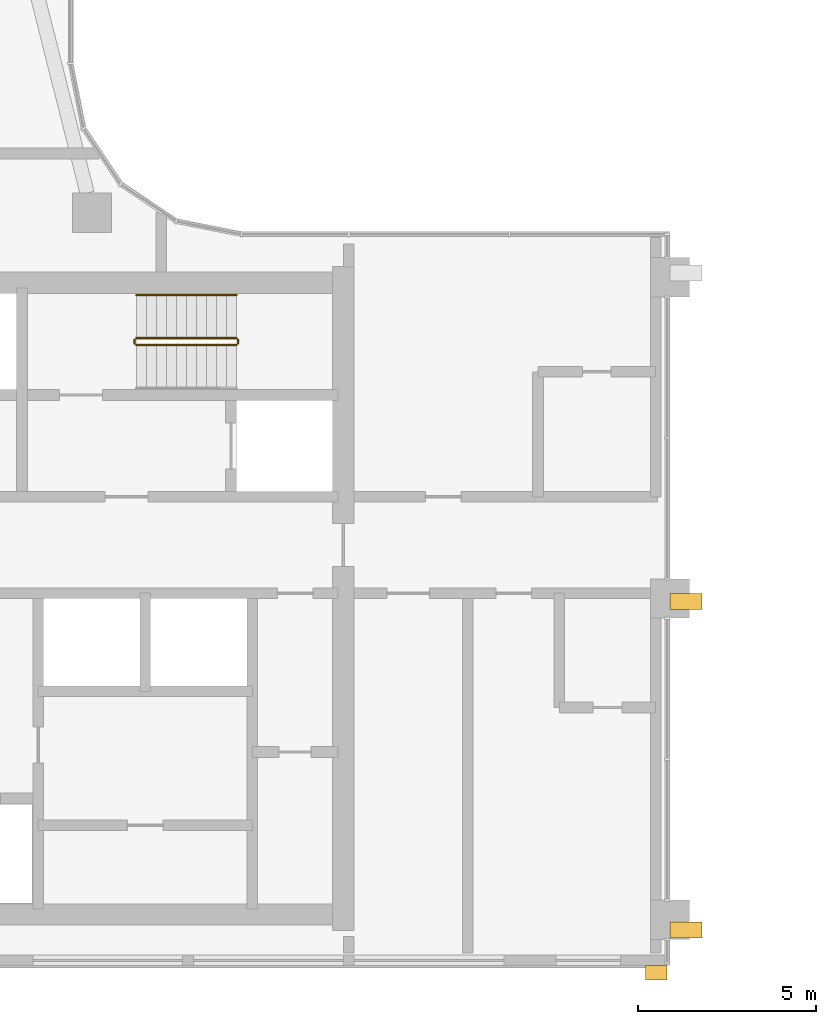
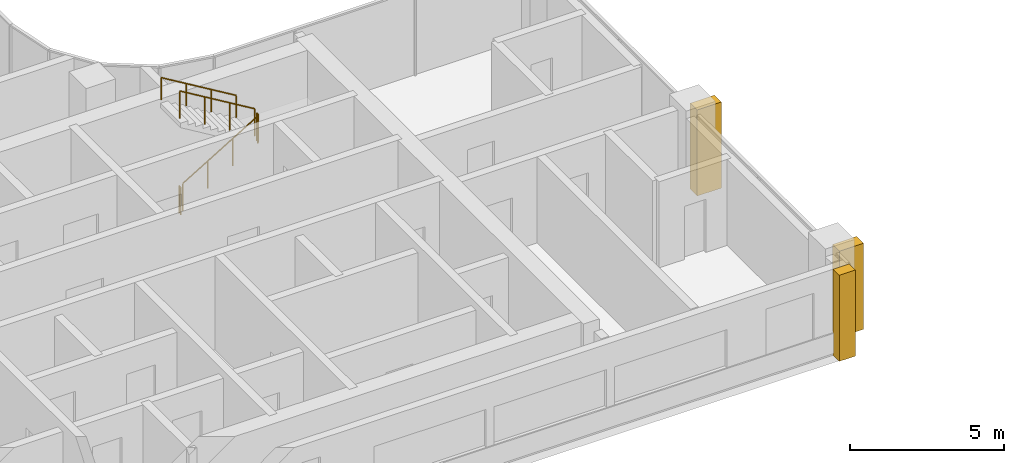
# One storey, part 20 of 23: 5 railings, 3 coverings.
"""IFC4 building model written with IfcOpenShell, lengths in metres."""

from ifc_helpers import new_model, si_unit, direction, frame, origin, origin_2d, place, context, subcontext, project, spatial, rectangle, circle, extrude, material, layer, layer_set, type_object, element, save


model = new_model("IFC4")

# Units and contexts
model_context = context("Model", 3, precision=1e-05, world=origin(), true_north=direction((0.0, 1.0)))
body_context = subcontext(model_context, "Body", "Model", "MODEL_VIEW")
ifc_project = project(units=[si_unit("LENGTHUNIT", "METRE"), si_unit("AREAUNIT", "SQUARE_METRE"), si_unit("VOLUMEUNIT", "CUBIC_METRE"), si_unit("PLANEANGLEUNIT", "RADIAN"), si_unit("MASSUNIT", "GRAM", prefix="KILO")], contexts=[model_context])

# Site, building, storey
site_placement = place(None, origin())
site = spatial("IfcSite", under=ifc_project, at=site_placement, CompositionType="ELEMENT")
building_placement = place(site_placement, origin())
building = spatial("IfcBuilding", under=site, at=building_placement, Name="Ogive Portal Towers", CompositionType="ELEMENT")
storey_placement = place(building_placement, frame((0.0, 0.0, 168.10009765625)))
storey = spatial("IfcBuildingStorey", under=building, at=storey_placement, Name="L41", CompositionType="ELEMENT", Elevation=168.10009765625)

# Coverings
ifc_material_1 = material(Name="Limestone cladding on lightweight block wall", Category="masonry")
ifc_layer_1 = layer(ifc_material_1, 0.449951171875)
ifc_layer_set_1 = layer_set([ifc_layer_1], Name="BUTTRESS PIER STONE")
covering_type_1 = type_object("IfcCoveringType", Name="BUTTRESS PIER STONE", PredefinedType="CLADDING", material=ifc_layer_set_1)
for number, where, z_axis, x_axis, name in (
    (1, (67.949951171875, 30.419921875, 0.0), (0.0, 0.0, 1.0), (1.0, 0.0, 0.0), "Buttress pier A1-F06.1"),
    (2, (67.949951171875, 21.215087890625, 0.0), (0.0, 0.0, 1.0), (1.0, 0.0, 0.0), "Buttress pier A1-F06.2"),
):
    element("IfcCovering", number, at=place(storey_placement, frame(where, z_axis=z_axis, x_axis=x_axis)), inside=storey, type_object=covering_type_1, Name=name, PredefinedType="CLADDING", context=body_context, shape_type="SweptSolid", body=[
        extrude(rectangle(XDim=0.89990234375, YDim=0.449951171875, at=origin_2d()), origin(), (0.0, 0.0, 1.0), 3.39990234375),
    ])

# Railings
ifc_material_2 = material(Name="Stainless steel balustrade", Category="steel")
railing_type_1 = type_object("IfcRailingType", Name="INT-GUARD", PredefinedType="GUARDRAIL", material=ifc_material_2)
railing_1_placement = place(storey_placement, frame((52.550048828125, 37.60009765625, 0.16796875)))
element("IfcRailing", 3, at=railing_1_placement, inside=storey, type_object=railing_type_1, Name="L41 ST-A2 stair guard 1", PredefinedType="GUARDRAIL", context=body_context, shape_type="SweptSolid", body=[
    extrude(circle(Radius=0.02392578125, at=origin_2d()), frame((0.0, 0.0, 1.076171875), z_axis=(0.857242210791, 0.0, 0.514913383045), x_axis=(0.0, 1.0, 0.0)), (0.0, 0.0, 1.0), 3.266357421875),
    extrude(circle(Radius=0.02099609375, at=origin_2d()), origin(), (0.0, 0.0, 1.0), 1.052001953125),
    extrude(circle(Radius=0.02099609375, at=origin_2d()), frame((0.933349609375, 0.0, 0.560546875)), (0.0, 0.0, 1.0), 1.052001953125),
    extrude(circle(Radius=0.02099609375, at=origin_2d()), frame((1.86669921875, 0.0, 1.121337890625)), (0.0, 0.0, 1.0), 1.052001953125),
    extrude(circle(Radius=0.02099609375, at=origin_2d()), frame((2.800048828125, 0.0, 1.681884765625)), (0.0, 0.0, 1.0), 1.052001953125),
])
railing_2_placement = place(storey_placement, frame((55.39990234375, 37.64990234375, 1.849853515625)))
element("IfcRailing", 4, at=railing_2_placement, inside=storey, type_object=railing_type_1, Name="L41 ST-A2 stair guard 2", PredefinedType="GUARDRAIL", context=body_context, shape_type="SweptSolid", body=[
    extrude(circle(Radius=0.02392578125, at=origin_2d()), frame((0.0, 0.0, 1.076171875), z_axis=(0.0, 1.0, 0.0), x_axis=(-1.0, 0.0, 0.0)), (0.0, 0.0, 1.0), 0.10009765625),
    extrude(circle(Radius=0.02099609375, at=origin_2d()), origin(), (0.0, 0.0, 1.0), 1.052001953125),
    extrude(circle(Radius=0.02099609375, at=origin_2d()), frame((0.0, 0.10009765625, 0.0)), (0.0, 0.0, 1.0), 1.052001953125),
])
railing_3_placement = place(storey_placement, frame((55.35009765625, 37.800048828125, 2.01806640625)))
element("IfcRailing", 5, at=railing_3_placement, inside=storey, type_object=railing_type_1, Name="L41 ST-A2 stair guard 3", PredefinedType="GUARDRAIL", context=body_context, shape_type="SweptSolid", body=[
    extrude(circle(Radius=0.02392578125, at=origin_2d()), frame((0.0, 0.0, 1.076171875), z_axis=(-0.857242210791, 0.0, 0.514913383045), x_axis=(0.0, -1.0, 0.0)), (0.0, 0.0, 1.0), 3.266357421875),
    extrude(circle(Radius=0.02099609375, at=origin_2d()), origin(), (0.0, 0.0, 1.0), 1.052001953125),
    extrude(circle(Radius=0.02099609375, at=origin_2d()), frame((-0.933349609375, 0.0, 0.560546875)), (0.0, 0.0, 1.0), 1.052001953125),
    extrude(circle(Radius=0.02099609375, at=origin_2d()), frame((-1.86669921875, 0.0, 1.121337890625)), (0.0, 0.0, 1.0), 1.052001953125),
    extrude(circle(Radius=0.02099609375, at=origin_2d()), frame((-2.800048828125, 0.0, 1.681884765625)), (0.0, 0.0, 1.0), 1.052001953125),
])
railing_4_placement = place(storey_placement, frame((52.5, 37.64990234375, 0.0)))
element("IfcRailing", 6, at=railing_4_placement, inside=storey, type_object=railing_type_1, Name="L41 ST-A2 stair guard 4", PredefinedType="GUARDRAIL", context=body_context, shape_type="SweptSolid", body=[
    extrude(circle(Radius=0.02392578125, at=origin_2d()), frame((0.0, 0.0, 1.076171875), z_axis=(0.0, 1.0, 0.0), x_axis=(-1.0, 0.0, 0.0)), (0.0, 0.0, 1.0), 0.10009765625),
    extrude(circle(Radius=0.02099609375, at=origin_2d()), origin(), (0.0, 0.0, 1.0), 1.052001953125),
    extrude(circle(Radius=0.02099609375, at=origin_2d()), frame((0.0, 0.10009765625, 0.0)), (0.0, 0.0, 1.0), 1.052001953125),
])
ifc_material_3 = material(Name="Stainless steel handrail", Category="steel")
railing_type_2 = type_object("IfcRailingType", Name="INT-HANDRAIL", PredefinedType="HANDRAIL", material=ifc_material_3)
railing_5_placement = place(storey_placement, frame((55.35009765625, 39.0, 2.01806640625)))
element("IfcRailing", 7, at=railing_5_placement, inside=storey, type_object=railing_type_2, Name="L41 ST-A2 stair handrail 2", PredefinedType="HANDRAIL", context=body_context, shape_type="SweptSolid", body=[
    extrude(circle(Radius=0.02392578125, at=origin_2d()), frame((0.0, 0.0, 0.8759765625), z_axis=(-0.857242210791, 0.0, 0.514913383045), x_axis=(0.0, -1.0, 0.0)), (0.0, 0.0, 1.0), 3.266357421875),
    extrude(circle(Radius=0.02099609375, at=origin_2d()), origin(), (0.0, 0.0, 1.0), 0.851806640625),
    extrude(circle(Radius=0.02099609375, at=origin_2d()), frame((-0.933349609375, 0.0, 0.560546875)), (0.0, 0.0, 1.0), 0.851806640625),
    extrude(circle(Radius=0.02099609375, at=origin_2d()), frame((-1.86669921875, 0.0, 1.121337890625)), (0.0, 0.0, 1.0), 0.851806640625),
    extrude(circle(Radius=0.02099609375, at=origin_2d()), frame((-2.800048828125, 0.0, 1.681884765625)), (0.0, 0.0, 1.0), 0.851806640625),
])

# Covering
ifc_layer_2 = layer(ifc_material_1, 0.39990234375)
ifc_layer_set_2 = layer_set([ifc_layer_2], Name="PORTAL BUTTRESS STONE")
covering_type_2 = type_object("IfcCoveringType", Name="PORTAL BUTTRESS STONE", PredefinedType="CLADDING", material=ifc_layer_set_2)
covering_placement = place(storey_placement, frame((67.1201171875, 20.014892578125, 0.0), z_axis=(0.0, 0.0, 1.0), x_axis=(1.0, 0.0, 0.0)))
element("IfcCovering", 8, at=covering_placement, inside=storey, type_object=covering_type_2, Name="PORTAL BUTTRESS", PredefinedType="CLADDING", context=body_context, shape_type="SweptSolid", body=[
    extrude(rectangle(XDim=0.60009765625, YDim=0.39990234375, at=origin_2d()), origin(), (0.0, 0.0, 1.0), 3.39990234375),
])

save(model, "model.ifc")
